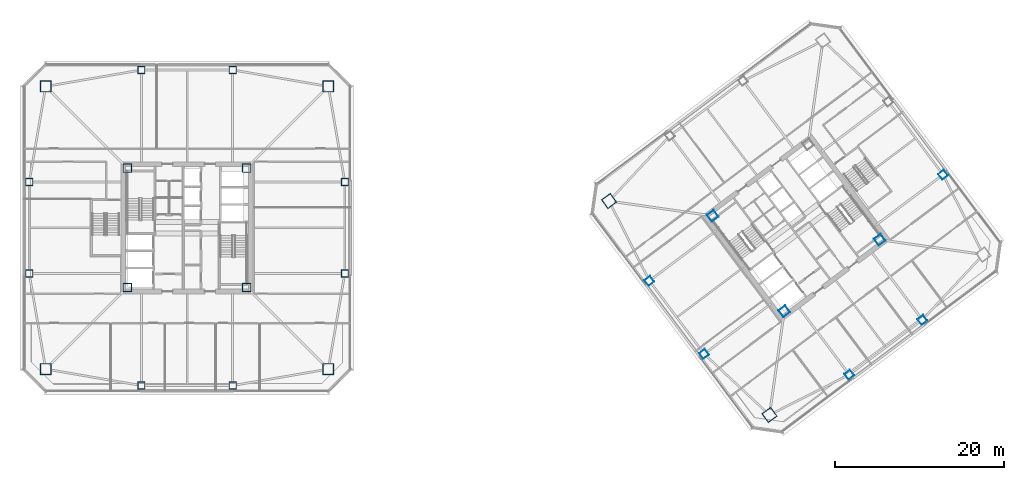
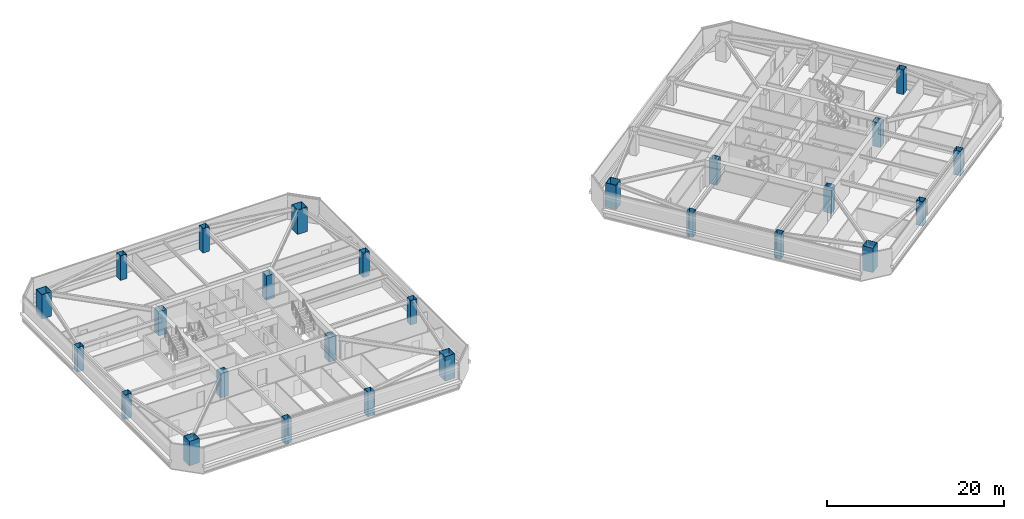
# One storey, part 1 of 41: 26 columns.
"""IFC4 building model written with IfcOpenShell, lengths in metres."""

from ifc_helpers import new_model, si_unit, direction, frame, origin, origin_2d, place, context, subcontext, project, spatial, hollow_rectangle, extrude, material, material_profile, profile_set, type_object, element, save


model = new_model("IFC4")

# Units and contexts
model_context = context("Model", 3, precision=1e-05, world=origin(), true_north=direction((0.0, 1.0)))
body_context = subcontext(model_context, "Body", "Model", "MODEL_VIEW")
ifc_project = project(units=[si_unit("LENGTHUNIT", "METRE"), si_unit("AREAUNIT", "SQUARE_METRE"), si_unit("VOLUMEUNIT", "CUBIC_METRE"), si_unit("PLANEANGLEUNIT", "RADIAN"), si_unit("MASSUNIT", "GRAM", prefix="KILO")], contexts=[model_context])

# Site, building, storey
site_placement = place(None, origin())
site = spatial("IfcSite", under=ifc_project, at=site_placement, CompositionType="ELEMENT")
building_placement = place(site_placement, origin())
building = spatial("IfcBuilding", under=site, at=building_placement, Name="Tashvorn Skyway Center", CompositionType="ELEMENT")
storey_placement = place(building_placement, frame((0.0, 0.0, 117.949951171875)))
storey = spatial("IfcBuildingStorey", under=building, at=storey_placement, Name="L31", CompositionType="ELEMENT", Elevation=117.949951171875)

# Columns
ifc_material = material(Name="Steel ASTM A572 Grade 50", Category="steel")
ifc_material_profile_1 = material_profile(ifc_material, hollow_rectangle(XDim=1.0, YDim=1.0, WallThickness=0.0400390625, at=origin_2d()), Name="BOX1000x1000x40")
ifc_profile_set_1 = profile_set([ifc_material_profile_1], Name="Steel ASTM A572 Grade 50")
column_type_1 = type_object("IfcColumnType", Name="COL-BOX1000x1000x40", PredefinedType="COLUMN", material=ifc_profile_set_1)
for number, where, z_axis, x_axis, name in (
    (1, (34.949951171875, 24.949951171875, 0.0), (0.0, 0.0, 1.0), (1.0, 0.0, 0.0), "Tower 1 L31 Core Corner Column CC-SW"),
    (2, (49.050048828125, 24.949951171875, 0.0), (0.0, 0.0, 1.0), (1.0, 0.0, 0.0), "Tower 1 L31 Core Corner Column CC-SE"),
    (3, (49.050048828125, 39.050048828125, 0.0), (0.0, 0.0, 1.0), (1.0, 0.0, 0.0), "Tower 1 L31 Core Corner Column CC-NE"),
    (4, (34.949951171875, 39.050048828125, 0.0), (0.0, 0.0, 1.0), (1.0, 0.0, 0.0), "Tower 1 L31 Core Corner Column CC-NW"),
    (5, (112.590087890625, 22.1298828125, 0.0), (0.0, 0.0, 1.0), (0.799999996291, 0.600000004945, 0.0), "Tower 2 L31 Core Corner Column CC-SW"),
    (6, (123.8701171875, 30.590087890625, 0.0), (0.0, 0.0, 1.0), (0.799999996291, 0.600000004945, 0.0), "Tower 2 L31 Core Corner Column CC-SE"),
    (7, (104.1298828125, 33.409912109375, 0.0), (0.0, 0.0, 1.0), (0.799999996291, 0.600000004945, 0.0), "Tower 2 L31 Core Corner Column CC-NW"),
):
    element("IfcColumn", number, at=place(storey_placement, frame(where, z_axis=z_axis, x_axis=x_axis)), inside=storey, type_object=column_type_1, Name=name, PredefinedType="COLUMN", context=body_context, shape_type="SweptSolid", body=[
        extrude(hollow_rectangle(XDim=1.0, YDim=1.0, WallThickness=0.0400390625, at=origin_2d()), origin(), (0.0, 0.0, 1.0), 3.3701171875),
    ])
ifc_material_profile_2 = material_profile(ifc_material, hollow_rectangle(XDim=1.300048828125, YDim=1.300048828125, WallThickness=0.050048828125, at=origin_2d()), Name="BOX1300x1300x50")
ifc_profile_set_2 = profile_set([ifc_material_profile_2], Name="Steel ASTM A572 Grade 50")
column_type_2 = type_object("IfcColumnType", Name="COL-BOX1300x1300x50", PredefinedType="COLUMN", material=ifc_profile_set_2)
for number, where, z_axis, x_axis, name in (
    (8, (25.300048828125, 15.300048828125, 0.0), (0.0, 0.0, 1.0), (1.0, 0.0, 0.0), "Tower 1 L31 Mega-Column MC-SW"),
    (9, (58.699951171875, 15.300048828125, 0.0), (0.0, 0.0, 1.0), (1.0, 0.0, 0.0), "Tower 1 L31 Mega-Column MC-SE"),
    (10, (58.699951171875, 48.699951171875, 0.0), (0.0, 0.0, 1.0), (1.0, 0.0, 0.0), "Tower 1 L31 Mega-Column MC-NE"),
    (11, (25.300048828125, 48.699951171875, 0.0), (0.0, 0.0, 1.0), (1.0, 0.0, 0.0), "Tower 1 L31 Mega-Column MC-NW"),
    (12, (110.840087890625, 9.8798828125, 0.0), (0.0, 0.0, 1.0), (0.799999996291, 0.600000004945, 0.0), "Tower 2 L31 Mega-Column MC-SW"),
    (13, (91.8798828125, 35.159912109375, 0.0), (0.0, 0.0, 1.0), (0.799999996291, 0.600000004945, 0.0), "Tower 2 L31 Mega-Column MC-NW"),
):
    element("IfcColumn", number, at=place(storey_placement, frame(where, z_axis=z_axis, x_axis=x_axis)), inside=storey, type_object=column_type_2, Name=name, PredefinedType="COLUMN", context=body_context, shape_type="SweptSolid", body=[
        extrude(hollow_rectangle(XDim=1.300048828125, YDim=1.300048828125, WallThickness=0.050048828125, at=origin_2d()), origin(), (0.0, 0.0, 1.0), 3.3701171875),
    ])
ifc_material_profile_3 = material_profile(ifc_material, hollow_rectangle(XDim=0.85009765625, YDim=0.85009765625, WallThickness=0.034912109375, at=origin_2d()), Name="BOX850x850x35")
ifc_profile_set_3 = profile_set([ifc_material_profile_3], Name="Steel ASTM A572 Grade 50")
column_type_3 = type_object("IfcColumnType", Name="COL-BOX850x850x35", PredefinedType="COLUMN", material=ifc_profile_set_3)
for number, where, z_axis, x_axis, name in (
    (14, (36.60009765625, 13.35009765625, 0.0), (0.0, 0.0, 1.0), (1.0, 0.0, 0.0), "Tower 1 L31 Perimeter Column FC-S1"),
    (15, (47.39990234375, 13.35009765625, 0.0), (0.0, 0.0, 1.0), (1.0, 0.0, 0.0), "Tower 1 L31 Perimeter Column FC-S2"),
    (16, (60.64990234375, 26.60009765625, 0.0), (0.0, 0.0, 1.0), (1.0, 0.0, 0.0), "Tower 1 L31 Perimeter Column FC-E1"),
    (17, (60.64990234375, 37.39990234375, 0.0), (0.0, 0.0, 1.0), (1.0, 0.0, 0.0), "Tower 1 L31 Perimeter Column FC-E2"),
    (18, (47.39990234375, 50.64990234375, 0.0), (0.0, 0.0, 1.0), (1.0, 0.0, 0.0), "Tower 1 L31 Perimeter Column FC-N1"),
    (19, (36.60009765625, 50.64990234375, 0.0), (0.0, 0.0, 1.0), (1.0, 0.0, 0.0), "Tower 1 L31 Perimeter Column FC-N2"),
    (20, (23.35009765625, 37.39990234375, 0.0), (0.0, 0.0, 1.0), (1.0, 0.0, 0.0), "Tower 1 L31 Perimeter Column FC-W1"),
    (21, (23.35009765625, 26.60009765625, 0.0), (0.0, 0.0, 1.0), (1.0, 0.0, 0.0), "Tower 1 L31 Perimeter Column FC-W2"),
    (22, (120.27001953125, 14.639892578125, 0.0), (0.0, 0.0, 1.0), (0.799999996291, 0.600000004945, 0.0), "Tower 2 L31 Perimeter Column FC-S1"),
    (23, (128.909912109375, 21.1201171875, 0.0), (0.0, 0.0, 1.0), (0.799999996291, 0.600000004945, 0.0), "Tower 2 L31 Perimeter Column FC-S2"),
    (24, (131.360107421875, 38.27001953125, 0.0), (0.0, 0.0, 1.0), (0.799999996291, 0.600000004945, 0.0), "Tower 2 L31 Perimeter Column FC-E1"),
    (25, (96.639892578125, 25.72998046875, 0.0), (0.0, 0.0, 1.0), (0.799999996291, 0.600000004945, 0.0), "Tower 2 L31 Perimeter Column FC-W1"),
    (26, (103.1201171875, 17.090087890625, 0.0), (0.0, 0.0, 1.0), (0.799999996291, 0.600000004945, 0.0), "Tower 2 L31 Perimeter Column FC-W2"),
):
    element("IfcColumn", number, at=place(storey_placement, frame(where, z_axis=z_axis, x_axis=x_axis)), inside=storey, type_object=column_type_3, Name=name, PredefinedType="COLUMN", context=body_context, shape_type="SweptSolid", body=[
        extrude(hollow_rectangle(XDim=0.85009765625, YDim=0.85009765625, WallThickness=0.034912109375, at=origin_2d()), origin(), (0.0, 0.0, 1.0), 3.3701171875),
    ])

save(model, "model.ifc")
